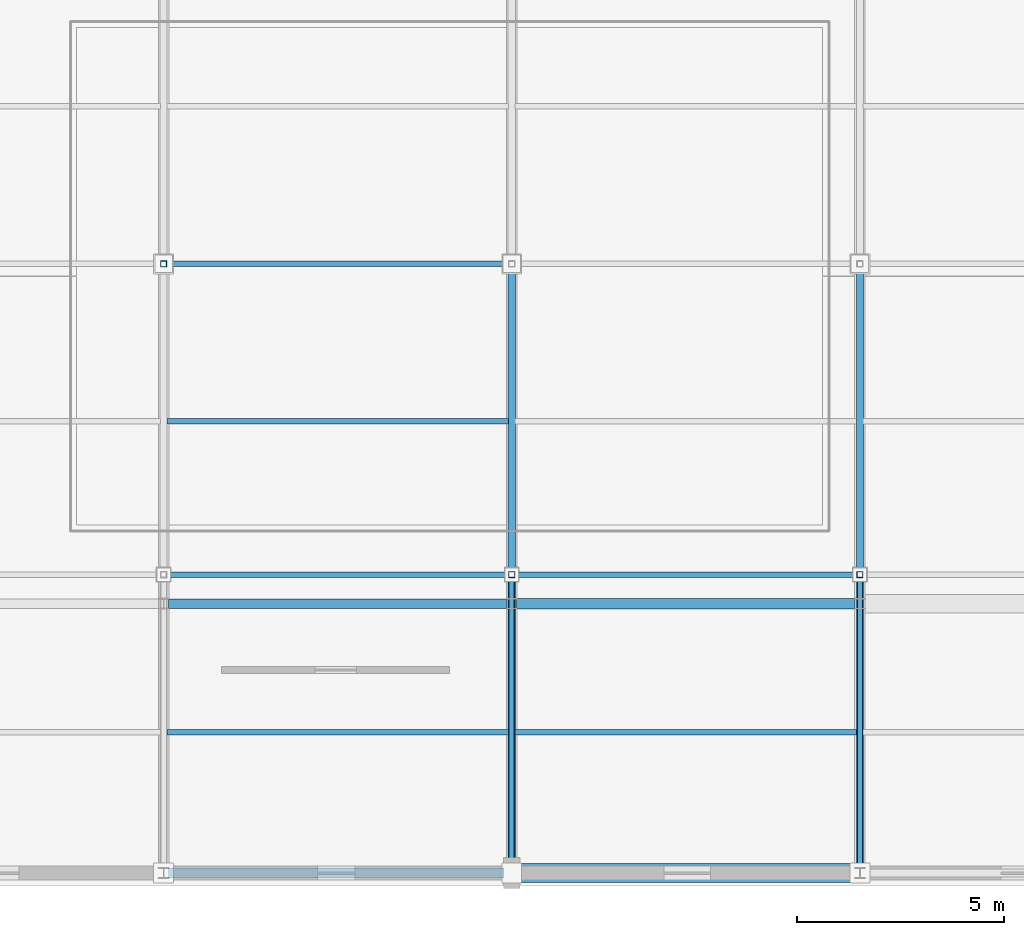
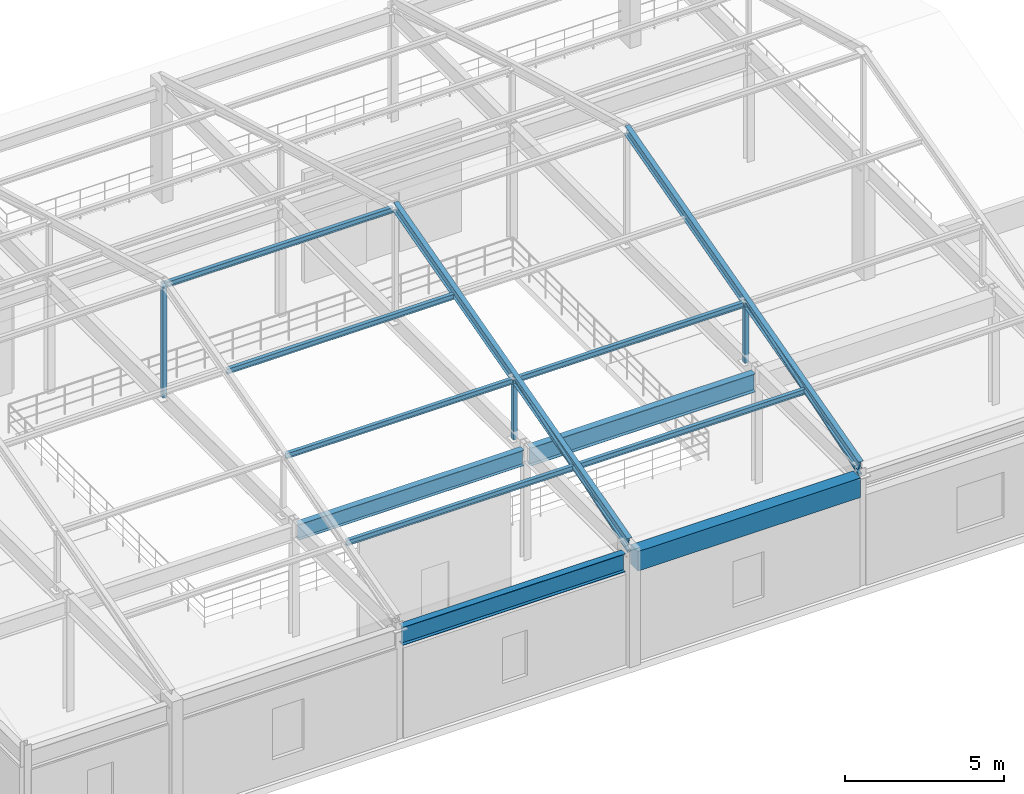
# One storey, part 27 of 112: 13 members, 4 beams.
"""IFC4 building model written with IfcOpenShell, lengths in metres."""

from ifc_helpers import new_model, si_unit, direction, frame, origin, origin_2d, place, context, subcontext, project, spatial, rectangle, hollow_rectangle, hollow_circle, i_section, extrude, material, material_profile, profile_set, type_object, element, save


model = new_model("IFC4")

# Units and contexts
model_context = context("Model", 3, precision=1e-05, world=origin(), true_north=direction((0.0, 1.0)))
body_context = subcontext(model_context, "Body", "Model", "MODEL_VIEW")
ifc_project = project(units=[si_unit("LENGTHUNIT", "METRE"), si_unit("AREAUNIT", "SQUARE_METRE"), si_unit("VOLUMEUNIT", "CUBIC_METRE"), si_unit("PLANEANGLEUNIT", "RADIAN"), si_unit("MASSUNIT", "GRAM", prefix="KILO")], contexts=[model_context])

# Site, building, storey
site_placement = place(None, origin())
site = spatial("IfcSite", under=ifc_project, at=site_placement, CompositionType="ELEMENT")
building_placement = place(site_placement, origin())
building = spatial("IfcBuilding", under=site, at=building_placement, Name="Cinderbank Siding Concert Hall", CompositionType="ELEMENT")
storey_placement = place(building_placement, frame((0.0, 0.0, 10.199951171875)))
storey = spatial("IfcBuildingStorey", under=building, at=storey_placement, Name="L03", CompositionType="ELEMENT", Elevation=10.199951171875)

# Beams
ifc_material_1 = material(Name="Reinforced concrete AS 3600 N50 (50 MPa)", Category="concrete")
ifc_material_profile_1 = material_profile(ifc_material_1, rectangle(XDim=0.449951171875, YDim=0.75, at=origin_2d()), Name="RC-BM-450x750", Category="LoadBearing")
ifc_profile_set_1 = profile_set([ifc_material_profile_1], Name="Reinforced concrete AS 3600 N50 (50 MPa)")
beam_type_1 = type_object("IfcBeamType", Name="BM-RC750 RC-BM-450x750", PredefinedType="BEAM", material=ifc_profile_set_1)
beam_1_placement = place(storey_placement, frame((29.19189453125, 6.10009765625, 3.866943359375), z_axis=(1.0, 0.0, 0.0), x_axis=(0.0, 1.0, 0.0)))
element("IfcBeam", 1, at=beam_1_placement, inside=storey, type_object=beam_type_1, Name="L03 Beam BM-RC750 #1722", PredefinedType="BEAM", context=body_context, shape_type="SweptSolid", body=[
    extrude(rectangle(XDim=0.449951171875, YDim=0.75, at=origin_2d()), origin(), (0.0, 0.0, 1.0), 8.089111328125),
])
ifc_material_2 = material(Name="Structural steel AS/NZS 3679.1 Grade 350 (340 MPa)", Category="steel")
ifc_material_profile_2 = material_profile(ifc_material_2, i_section(OverallWidth=0.22802734375, OverallDepth=0.602294921875, WebThickness=0.010498046875, FlangeThickness=0.014892578125, at=origin_2d()), Name="610UB101", Category="LoadBearing")
ifc_profile_set_2 = profile_set([ifc_material_profile_2], Name="Structural steel AS/NZS 3679.1 Grade 350 (340 MPa)")
beam_type_2 = type_object("IfcBeamType", Name="BM-UB610 610UB101", PredefinedType="BEAM", material=ifc_profile_set_2)
beam_2_placement = place(storey_placement, frame((20.718994140625, 12.60009765625, 3.94091796875), z_axis=(1.0, 0.0, 0.0), x_axis=(0.0, 1.0, 0.0)))
element("IfcBeam", 2, at=beam_2_placement, inside=storey, type_object=beam_type_2, Name="L03 Beam BM-UB610 #1719", PredefinedType="BEAM", context=body_context, shape_type="SweptSolid", body=[
    extrude(i_section(OverallWidth=0.22802734375, OverallDepth=0.602294921875, WebThickness=0.010498046875, FlangeThickness=0.014892578125, at=origin_2d()), origin(), (0.0, 0.0, 1.0), 8.162109375),
])
ifc_material_3 = material(Name="Structural steel welded plate section AS/NZS 3679.2 / AS/NZS 3678 Grade 350 (340 MPa)", Category="steel")
ifc_material_profile_3 = material_profile(ifc_material_3, i_section(OverallWidth=0.25, OverallDepth=0.699951171875, WebThickness=0.010009765625, FlangeThickness=0.01611328125, at=origin_2d()), Name="700WB130", Category="LoadBearing")
ifc_profile_set_3 = profile_set([ifc_material_profile_3], Name="Structural steel welded plate section AS/NZS 3679.2 / AS/NZS 3678 Grade 350 (340 MPa)")
beam_type_3 = type_object("IfcBeamType", Name="BM-WB700 700WB130", PredefinedType="BEAM", material=ifc_profile_set_3)
beam_3_placement = place(storey_placement, frame((20.718994140625, 6.10009765625, 3.89208984375), z_axis=(1.0, 0.0, 0.0), x_axis=(0.0, 1.0, 0.0)))
element("IfcBeam", 3, at=beam_3_placement, inside=storey, type_object=beam_type_3, Name="L03 Beam BM-WB700 #1718", PredefinedType="BEAM", context=body_context, shape_type="SweptSolid", body=[
    extrude(i_section(OverallWidth=0.25, OverallDepth=0.699951171875, WebThickness=0.010009765625, FlangeThickness=0.01611328125, at=origin_2d()), origin(), (0.0, 0.0, 1.0), 8.089111328125),
])
beam_4_placement = place(storey_placement, frame((29.118896484375, 12.60009765625, 3.89208984375), z_axis=(1.0, 0.0, 0.0), x_axis=(0.0, 1.0, 0.0)))
element("IfcBeam", 4, at=beam_4_placement, inside=storey, type_object=beam_type_3, Name="L03 Beam BM-WB700 #1723", PredefinedType="BEAM", context=body_context, shape_type="SweptSolid", body=[
    extrude(i_section(OverallWidth=0.25, OverallDepth=0.699951171875, WebThickness=0.010009765625, FlangeThickness=0.01611328125, at=origin_2d()), origin(), (0.0, 0.0, 1.0), 8.162109375),
])

# Members
ifc_material_4 = material(Name="Structural steel hollow section AS/NZS 1163 Grade C350L0 (350 MPa)", Category="steel")
ifc_material_profile_4 = material_profile(ifc_material_4, hollow_circle(Radius=0.06982421875, WallThickness=0.00634765625, at=origin_2d()), Name="139.7x6.4CHS", Category="LoadBearing")
ifc_profile_set_4 = profile_set([ifc_material_profile_4], Name="Structural steel hollow section AS/NZS 1163 Grade C350L0 (350 MPa)")
member_type_1 = type_object("IfcMemberType", Name="BR-CHS139 139.7x6.4CHS Roof Truss", PredefinedType="BRACE", material=ifc_profile_set_4)
for number, where, z_axis, x_axis, name in (
    (5, (29.0, 6.10009765625, 4.199951171875), (0.0, 0.950640778961, 0.310293585781), (-1.0, 0.0, 0.0), "L03 Diagonal Brace BR-CHS139 #V2DG-BR-CHS139-L03-2394"),
    (6, (37.39990234375, 6.10009765625, 4.199951171875), (0.0, 0.950640778961, 0.310293585781), (-1.0, 0.0, 0.0), "L03 Diagonal Brace BR-CHS139 #V2DG-BR-CHS139-L03-2401"),
):
    element("IfcMember", number, at=place(storey_placement, frame(where, z_axis=z_axis, x_axis=x_axis)), inside=storey, type_object=member_type_1, Name=name, PredefinedType="BRACE", context=body_context, shape_type="SweptSolid", body=[
        extrude(hollow_circle(Radius=0.06982421875, WallThickness=0.00634765625, at=origin_2d()), origin(), (0.0, 0.0, 1.0), 7.57373046875),
    ])
ifc_material_profile_5 = material_profile(ifc_material_4, hollow_rectangle(XDim=0.14990234375, YDim=0.14990234375, WallThickness=0.008056640625, at=origin_2d()), Name="150x150x8.0SHS", Category="LoadBearing")
ifc_profile_set_5 = profile_set([ifc_material_profile_5], Name="Structural steel hollow section AS/NZS 1163 Grade C350L0 (350 MPa)")
member_type_2 = type_object("IfcMemberType", Name="BR-SHS150 150x150x8.0SHS Roof Truss", PredefinedType="BRACE", material=ifc_profile_set_5)
member_1_placement = place(storey_placement, frame((20.60009765625, 20.800048828125, 4.150146484375), z_axis=(0.0, 0.0, 1.0), x_axis=(1.0, 0.0, 0.0)))
element("IfcMember", 7, at=member_1_placement, inside=storey, type_object=member_type_2, Name="L03 Diagonal Brace BR-SHS150 #V2WB-BR-SHS150-L03-2385", PredefinedType="BRACE", context=body_context, shape_type="SweptSolid", body=[
    extrude(hollow_rectangle(XDim=0.14990234375, YDim=0.14990234375, WallThickness=0.008056640625, at=origin_2d()), origin(), (0.0, 0.0, 1.0), 4.39990234375),
])
for number, where, z_axis, x_axis, name in (
    (8, (29.0, 13.300048828125, 4.150146484375), (0.0, 0.0, 1.0), (1.0, 0.0, 0.0), "L03 Diagonal Brace BR-SHS150 #V2WB-BR-SHS150-L03-2391"),
    (9, (37.39990234375, 13.300048828125, 4.150146484375), (0.0, 0.0, 1.0), (1.0, 0.0, 0.0), "L03 Diagonal Brace BR-SHS150 #V2WB-BR-SHS150-L03-2398"),
):
    element("IfcMember", number, at=place(storey_placement, frame(where, z_axis=z_axis, x_axis=x_axis)), inside=storey, type_object=member_type_2, Name=name, PredefinedType="BRACE", context=body_context, shape_type="SweptSolid", body=[
        extrude(hollow_rectangle(XDim=0.14990234375, YDim=0.14990234375, WallThickness=0.008056640625, at=origin_2d()), origin(), (0.0, 0.0, 1.0), 2.39990234375),
    ])
ifc_material_profile_6 = material_profile(ifc_material_2, i_section(OverallWidth=0.133056640625, OverallDepth=0.203125, WebThickness=0.005859375, FlangeThickness=0.0078125, at=origin_2d()), Name="200UB25.4", Category="LoadBearing")
ifc_profile_set_6 = profile_set([ifc_material_profile_6], Name="Structural steel AS/NZS 3679.1 Grade 350 (340 MPa)")
member_type_3 = type_object("IfcMemberType", Name="PR-UB200 200UB25.4 Roof Truss", PredefinedType="PURLIN", material=ifc_profile_set_6)
for number, where, z_axis, x_axis, name in (
    (10, (20.679931640625, 9.5, 5.375244140625), (1.0, 0.0, 0.0), (0.0, 1.0, 0.0), "L03 Roof Truss Member PR-UB200 #2417"),
    (11, (20.679931640625, 13.300048828125, 6.4091796875), (1.0, 0.0, 0.0), (0.0, 1.0, 0.0), "L03 Roof Truss Member PR-UB200 #2418"),
    (12, (20.679931640625, 17.0, 7.416015625), (1.0, 0.0, 0.0), (0.0, 1.0, 0.0), "L03 Roof Truss Member PR-UB200 #2419"),
    (13, (29.080078125, 9.5, 5.375244140625), (1.0, 0.0, 0.0), (0.0, 1.0, 0.0), "L03 Roof Truss Member PR-UB200 #2424"),
    (14, (29.080078125, 13.300048828125, 6.4091796875), (1.0, 0.0, 0.0), (0.0, 1.0, 0.0), "L03 Roof Truss Member PR-UB200 #2425"),
):
    element("IfcMember", number, at=place(storey_placement, frame(where, z_axis=z_axis, x_axis=x_axis)), inside=storey, type_object=member_type_3, Name=name, PredefinedType="PURLIN", context=body_context, shape_type="SweptSolid", body=[
        extrude(i_section(OverallWidth=0.133056640625, OverallDepth=0.203125, WebThickness=0.005859375, FlangeThickness=0.0078125, at=origin_2d()), origin(), (0.0, 0.0, 1.0), 8.239990234375),
    ])
ifc_material_profile_7 = material_profile(ifc_material_2, i_section(OverallWidth=0.134033203125, OverallDepth=0.20703125, WebThickness=0.00634765625, FlangeThickness=0.009521484375, at=origin_2d()), Name="200UB29.8", Category="LoadBearing")
ifc_profile_set_7 = profile_set([ifc_material_profile_7], Name="Structural steel AS/NZS 3679.1 Grade 350 (340 MPa)")
member_type_4 = type_object("IfcMemberType", Name="PR-UB200H 200UB29.8 Roof Truss", PredefinedType="PURLIN", material=ifc_profile_set_7)
member_2_placement = place(storey_placement, frame((20.679931640625, 20.800048828125, 8.449951171875), z_axis=(1.0, 0.0, 0.0), x_axis=(0.0, 1.0, 0.0)))
element("IfcMember", 15, at=member_2_placement, inside=storey, type_object=member_type_4, Name="L03 Roof Truss Member PR-UB200H #2420", PredefinedType="PURLIN", context=body_context, shape_type="SweptSolid", body=[
    extrude(i_section(OverallWidth=0.134033203125, OverallDepth=0.20703125, WebThickness=0.00634765625, FlangeThickness=0.009521484375, at=origin_2d()), origin(), (0.0, 0.0, 1.0), 8.239990234375),
])
ifc_material_profile_8 = material_profile(ifc_material_2, i_section(OverallWidth=0.172119140625, OverallDepth=0.358642578125, WebThickness=0.008056640625, FlangeThickness=0.012939453125, at=origin_2d()), Name="360UB56.7", Category="LoadBearing")
ifc_profile_set_8 = profile_set([ifc_material_profile_8], Name="Structural steel AS/NZS 3679.1 Grade 350 (340 MPa)")
member_type_5 = type_object("IfcMemberType", Name="TR-UB360 360UB56.7 Roof Truss", PredefinedType="RAFTER", material=ifc_profile_set_8)
for number, where, z_axis, x_axis, name in (
    (16, (29.0, 6.10009765625, 4.550048828125), (0.0, 0.964914918446, 0.26256275471), (-1.0, 0.0, 0.0), "L03 Roof Truss Member TR-UB360 #2389"),
    (17, (37.39990234375, 6.10009765625, 4.550048828125), (0.0, 0.964914918446, 0.26256275471), (-1.0, 0.0, 0.0), "L03 Roof Truss Member TR-UB360 #2396"),
):
    element("IfcMember", number, at=place(storey_placement, frame(where, z_axis=z_axis, x_axis=x_axis)), inside=storey, type_object=member_type_5, Name=name, PredefinedType="RAFTER", context=body_context, shape_type="SweptSolid", body=[
        extrude(i_section(OverallWidth=0.172119140625, OverallDepth=0.358642578125, WebThickness=0.008056640625, FlangeThickness=0.012939453125, at=origin_2d()), origin(), (0.0, 0.0, 1.0), 15.234375),
    ])

save(model, "model.ifc")
